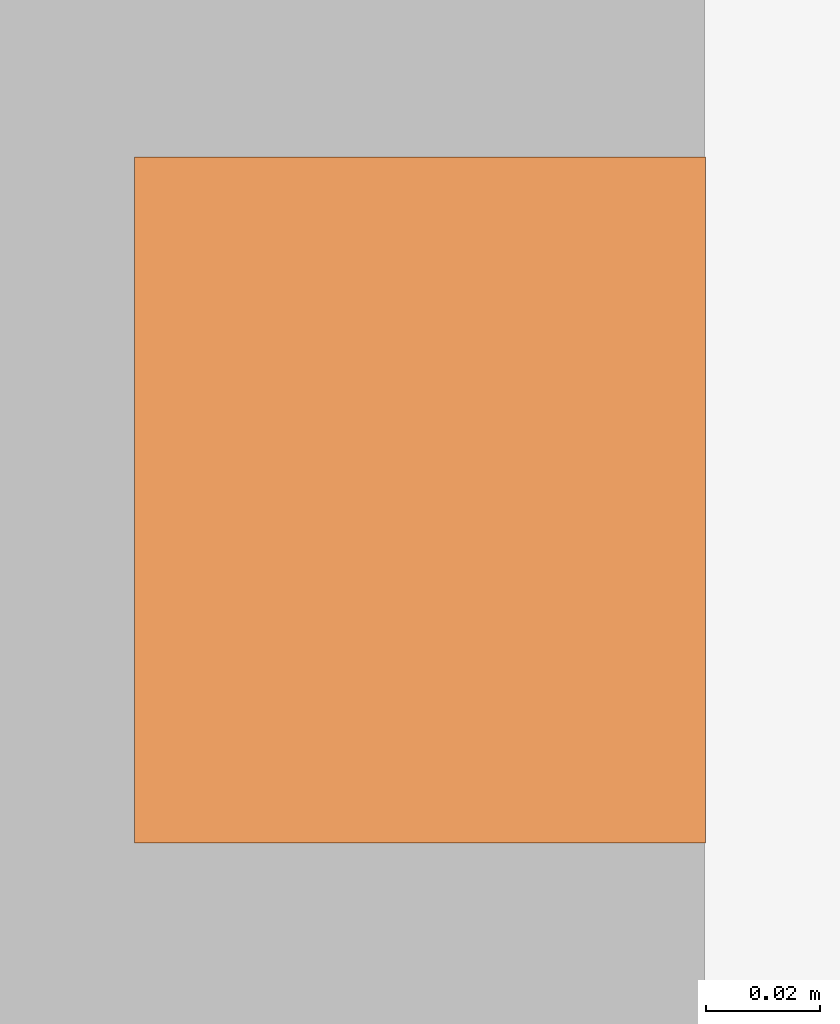
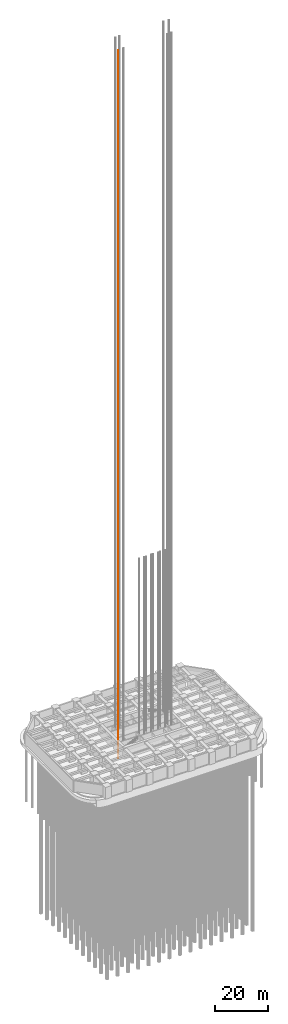
# One storey, part 9 of 24: 1 proxy.
"""IFC4 building model written with IfcOpenShell, lengths in metres."""

from ifc_helpers import new_model, si_unit, direction, frame, origin, origin_2d, place, context, subcontext, project, spatial, rectangle, extrude, element, save


model = new_model("IFC4")

# Units and contexts
model_context = context("Model", 3, precision=1e-05, world=origin(), true_north=direction((0.0, 1.0)))
body_context = subcontext(model_context, "Body", "Model", "MODEL_VIEW")
ifc_project = project(units=[si_unit("LENGTHUNIT", "METRE"), si_unit("AREAUNIT", "SQUARE_METRE"), si_unit("VOLUMEUNIT", "CUBIC_METRE"), si_unit("PLANEANGLEUNIT", "RADIAN"), si_unit("MASSUNIT", "GRAM", prefix="KILO")], contexts=[model_context])

# Site, building, storey
site_placement = place(None, origin())
site = spatial("IfcSite", under=ifc_project, at=site_placement, CompositionType="ELEMENT")
building_placement = place(site_placement, origin())
building = spatial("IfcBuilding", under=site, at=building_placement, Name="Zorevar Civic Tower", CompositionType="ELEMENT")
storey_placement = place(building_placement, frame((0.0, 0.0, -5.0)))
storey = spatial("IfcBuildingStorey", under=building, at=storey_placement, Name="B1", CompositionType="ELEMENT", Elevation=-5.0)

# Proxy
proxy_placement = place(storey_placement, frame((18.35009765625, 23.199951171875, -3.349853515625), z_axis=(0.0, 0.0, 1.0), x_axis=(1.0, 0.0, 0.0)))
element("IfcBuildingElementProxy", 1, at=proxy_placement, inside=storey, Name="Firefighting lift FL1 guide rail 1", PredefinedType="NOTDEFINED", context=body_context, shape_type="SweptSolid", body=[
    extrude(rectangle(XDim=0.10009765625, YDim=0.1201171875, at=origin_2d()), origin(), (0.0, 0.0, 1.0), 323.64990234375),
])

save(model, "model.ifc")
